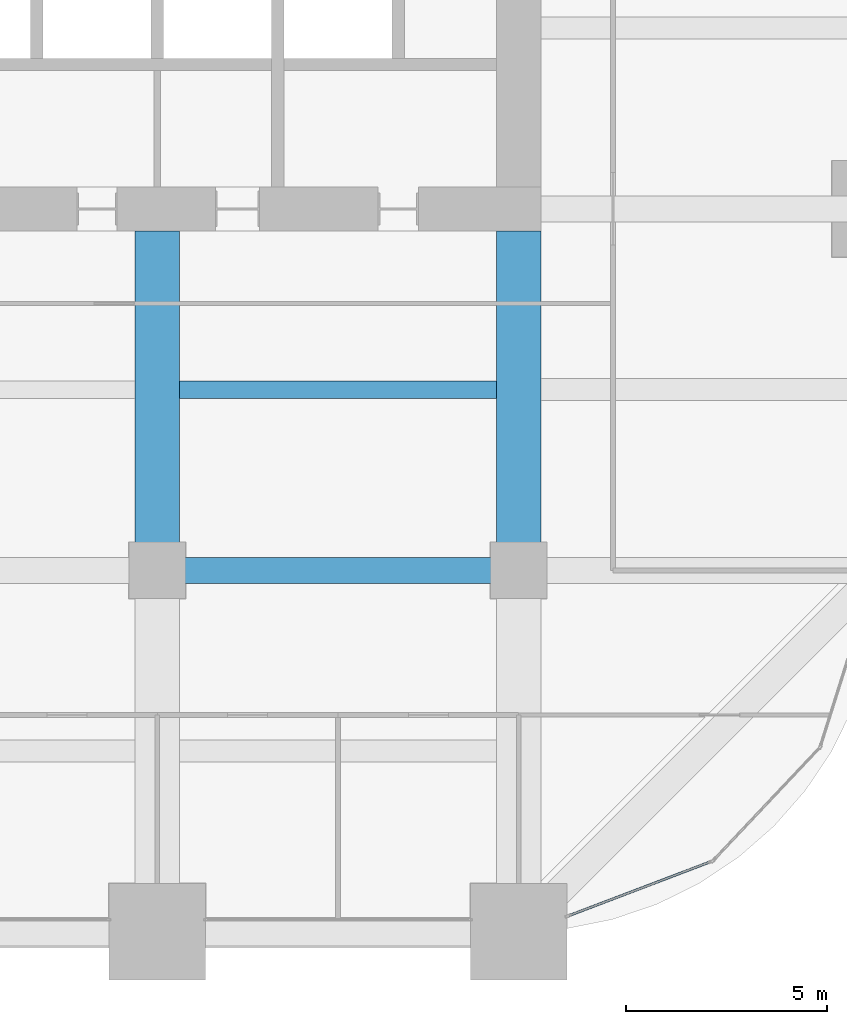
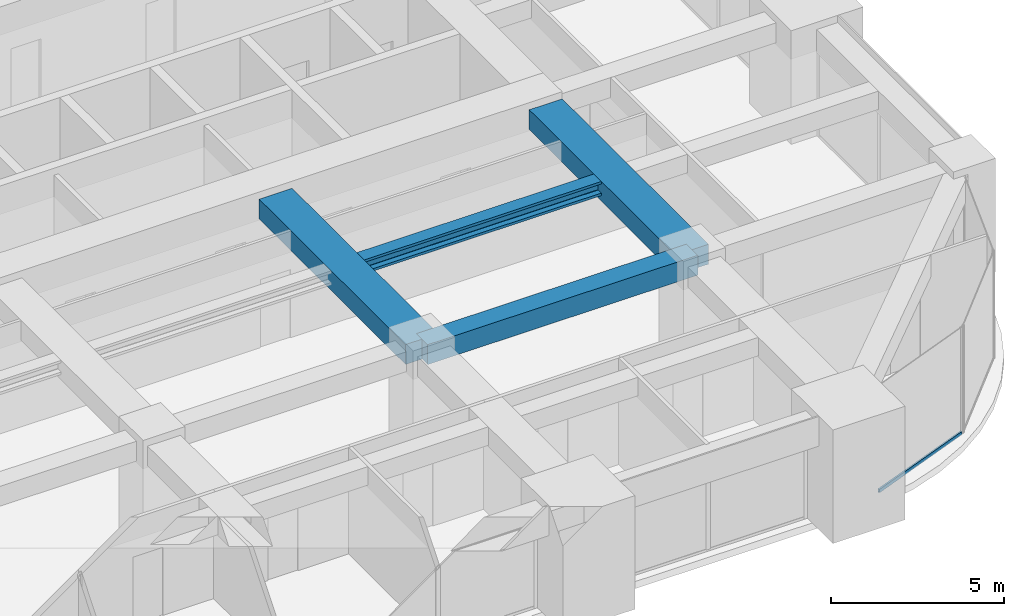
# One storey, part 15 of 33: 4 beams, 1 member, 1 element without a shape of its own.
"""IFC4 building model written with IfcOpenShell, lengths in metres."""

from ifc_helpers import new_model, si_unit, direction, frame, origin, origin_2d, place, context, subcontext, project, spatial, rectangle, hollow_rectangle, i_section, extrude, material, material_profile, profile_set, type_object, element, aggregate, save


model = new_model("IFC4")

# Units and contexts
model_context = context("Model", 3, precision=1e-05, world=origin(), true_north=direction((0.0, 1.0)))
body_context = subcontext(model_context, "Body", "Model", "MODEL_VIEW")
ifc_project = project(units=[si_unit("LENGTHUNIT", "METRE"), si_unit("AREAUNIT", "SQUARE_METRE"), si_unit("VOLUMEUNIT", "CUBIC_METRE"), si_unit("PLANEANGLEUNIT", "RADIAN"), si_unit("MASSUNIT", "GRAM", prefix="KILO")], contexts=[model_context])

# Site, building, storey
site_placement = place(None, origin())
site = spatial("IfcSite", under=ifc_project, at=site_placement, CompositionType="ELEMENT")
building_placement = place(site_placement, origin())
building = spatial("IfcBuilding", under=site, at=building_placement, Name="Zorevar Civic Tower", CompositionType="ELEMENT")
storey_placement = place(building_placement, frame((0.0, 0.0, 210.199951171875)))
storey = spatial("IfcBuildingStorey", under=building, at=storey_placement, Name="L51", CompositionType="ELEMENT", Elevation=210.199951171875)

# Beams
ifc_material_1 = material(Name="Concrete C50/60", Category="concrete")
ifc_material_profile_1 = material_profile(ifc_material_1, rectangle(XDim=1.10009765625, YDim=0.699951171875, at=origin_2d()), Name="RC 1100x700")
ifc_profile_set_1 = profile_set([ifc_material_profile_1], Name="Concrete C50/60")
beam_type_1 = type_object("IfcBeamType", Name="Beam RC 1100x700", PredefinedType="BEAM", material=ifc_profile_set_1)
for number, where, z_axis, x_axis, name in (
    (1, (36.0, 9.0, 3.400146484375), (0.0, 1.0, 0.0), (-1.0, 0.0, 0.0), "Girder L52"),
    (2, (45.0, 9.0, 3.400146484375), (0.0, 1.0, 0.0), (-1.0, 0.0, 0.0), "Girder L52"),
):
    element("IfcBeam", number, at=place(storey_placement, frame(where, z_axis=z_axis, x_axis=x_axis)), inside=storey, type_object=beam_type_1, Name=name, PredefinedType="BEAM", context=body_context, shape_type="SweptSolid", body=[
        extrude(rectangle(XDim=1.10009765625, YDim=0.699951171875, at=origin_2d()), origin(), (0.0, 0.0, 1.0), 8.449951171875),
    ])
ifc_material_2 = material(Name="Concrete C50/60", Category="concrete")
ifc_material_profile_2 = material_profile(ifc_material_2, rectangle(XDim=0.64990234375, YDim=0.699951171875, at=origin_2d()), Name="RC 650x700")
ifc_profile_set_2 = profile_set([ifc_material_profile_2], Name="Concrete C50/60")
beam_type_2 = type_object("IfcBeamType", Name="Beam RC 650x700", PredefinedType="BEAM", material=ifc_profile_set_2)
beam_1_placement = place(storey_placement, frame((36.0, 9.0, 3.400146484375), z_axis=(1.0, 0.0, 0.0), x_axis=(0.0, 1.0, 0.0)))
element("IfcBeam", 3, at=beam_1_placement, inside=storey, type_object=beam_type_2, Name="Girder L52", PredefinedType="BEAM", context=body_context, shape_type="SweptSolid", body=[
    extrude(rectangle(XDim=0.64990234375, YDim=0.699951171875, at=origin_2d()), origin(), (0.0, 0.0, 1.0), 9.0),
])

# Curtain wall, member
ifc_material_3 = material(Name="Dark grey solar-control glass in black aluminium frame", Category="aluminium")
curtain_wall_type = type_object("IfcCurtainWallType", Name="Curtain wall CW4 high zone", PredefinedType="NOTDEFINED", material=ifc_material_3)
curtain_wall_placement = place(storey_placement, origin())
curtain_wall = element("IfcCurtainWall", 4, at=curtain_wall_placement, inside=storey, type_object=curtain_wall_type, Name="CW4 L51", PredefinedType="NOTDEFINED")
ifc_material_4 = material(Name="Aluminium, black anodised", Category="aluminium")
ifc_material_profile_3 = material_profile(ifc_material_4, hollow_rectangle(XDim=0.06005859375, YDim=0.1201171875, WallThickness=0.0029296875, at=origin_2d()), Name="AL 120x60x3")
ifc_profile_set_3 = profile_set([ifc_material_profile_3], Name="Aluminium, black anodised")
member_type = type_object("IfcMemberType", Name="CW4 transom AL 120x60x3", PredefinedType="USERDEFINED", material=ifc_profile_set_3)
member_placement = place(storey_placement, frame((46.256103515625, 0.404541015625, 0.030029296875), z_axis=(0.934589335576, 0.355728511406, 0.0), x_axis=(-0.355728511406, 0.934589335576, 0.0)))
member = element("IfcMember", 5, at=member_placement, type_object=member_type, Name="CW4 sill transom", ObjectType="TRANSOM", PredefinedType="USERDEFINED", context=body_context, shape_type="SweptSolid", body=[
    extrude(hollow_rectangle(XDim=0.06005859375, YDim=0.1201171875, WallThickness=0.0029296875, at=origin_2d()), origin(), (0.0, 0.0, 1.0), 3.76708984375),
])
aggregate(curtain_wall, [member])

# Beam
ifc_material_5 = material(Name="Steel S460M (HISTAR 460)", Category="steel")
ifc_material_profile_4 = material_profile(ifc_material_5, i_section(OverallWidth=0.431884765625, OverallDepth=0.498046875, WebThickness=0.0556640625, FlangeThickness=0.0888671875, FilletRadius=0.014892578125, at=origin_2d()), Name="HD 400x744")
ifc_profile_set_4 = profile_set([ifc_material_profile_4], Name="Steel S460M (HISTAR 460)")
beam_type_3 = type_object("IfcBeamType", Name="Core bay beam HD 400x744", PredefinedType="BEAM", material=ifc_profile_set_4)
beam_2_placement = place(storey_placement, frame((36.550048828125, 13.5, 3.5009765625), z_axis=(1.0, 0.0, 0.0), x_axis=(0.0, 1.0, 0.0)))
element("IfcBeam", 6, at=beam_2_placement, inside=storey, type_object=beam_type_3, Name="Secondary beam L52", PredefinedType="BEAM", context=body_context, shape_type="SweptSolid", body=[
    extrude(i_section(OverallWidth=0.431884765625, OverallDepth=0.498046875, WebThickness=0.0556640625, FlangeThickness=0.0888671875, FilletRadius=0.014892578125, at=origin_2d()), origin(), (0.0, 0.0, 1.0), 7.89990234375),
])

save(model, "model.ifc")
